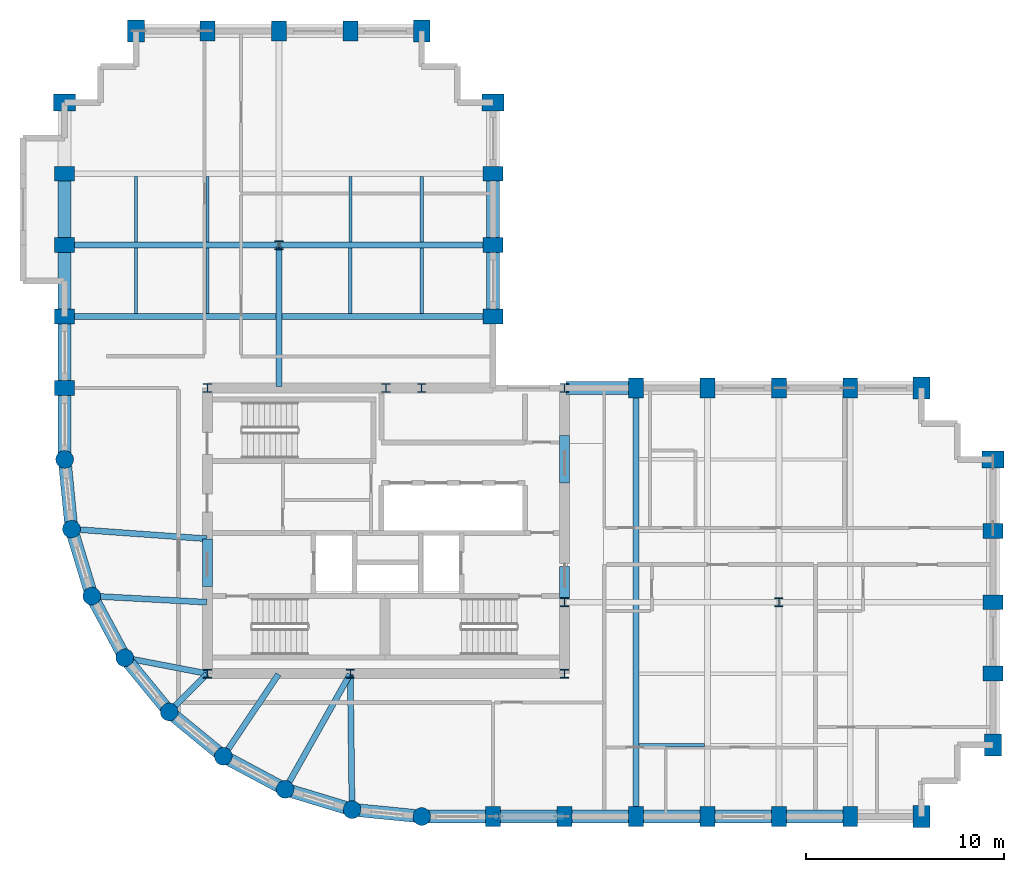
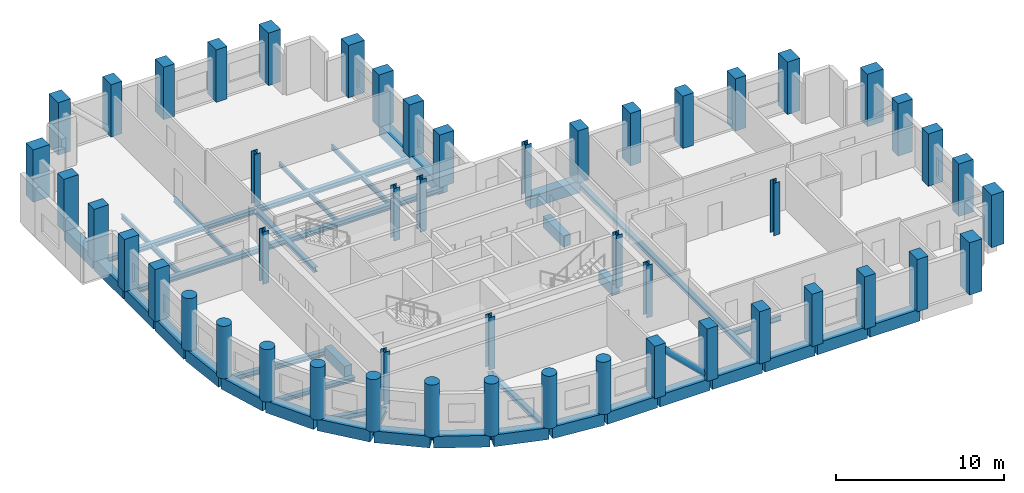
# One storey, part 1 of 8: 50 columns, 45 beams, 1 member.
"""IFC4 building model written with IfcOpenShell, lengths in metres."""

from ifc_helpers import new_model, si_unit, direction, frame, origin, origin_2d, place, context, subcontext, project, spatial, rectangle, circle, hollow_circle, i_section, extrude, material, material_profile, profile_set, type_object, element, save


model = new_model("IFC4")

# Units and contexts
model_context = context("Model", 3, precision=1e-05, world=origin(), true_north=direction((0.0, 1.0)))
body_context = subcontext(model_context, "Body", "Model", "MODEL_VIEW")
ifc_project = project(units=[si_unit("LENGTHUNIT", "METRE"), si_unit("AREAUNIT", "SQUARE_METRE"), si_unit("VOLUMEUNIT", "CUBIC_METRE"), si_unit("PLANEANGLEUNIT", "RADIAN"), si_unit("MASSUNIT", "GRAM", prefix="KILO")], contexts=[model_context])

# Site, building, storey
site_placement = place(None, origin())
site = spatial("IfcSite", under=ifc_project, at=site_placement, CompositionType="ELEMENT")
building_placement = place(site_placement, origin())
building = spatial("IfcBuilding", under=site, at=building_placement, Name="Solnavia Interchange Tower", CompositionType="ELEMENT")
storey_placement = place(building_placement, frame((0.0, 0.0, 161.800048828125)))
storey = spatial("IfcBuildingStorey", under=building, at=storey_placement, Name="L40", CompositionType="ELEMENT", Elevation=161.800048828125)

# Columns
ifc_material_1 = material(Name="Concrete C50/60", Category="concrete")
ifc_material_profile_1 = material_profile(ifc_material_1, rectangle(XDim=0.75, YDim=1.0, at=origin_2d()), Name="RC 1000x750")
ifc_profile_set_1 = profile_set([ifc_material_profile_1], Name="Concrete C50/60")
column_type_1 = type_object("IfcColumnType", Name="Col-RC-1000x750", PredefinedType="COLUMN", material=ifc_profile_set_1)
for number, where, z_axis, x_axis, name in (
    (1, (7.199951171875, 25.199951171875, 0.0), (0.0, 0.0, 1.0), (0.0, 1.0, 0.0), "COL-L40-02 Tower perim y column"),
    (2, (7.199951171875, 28.800048828125, 0.0), (0.0, 0.0, 1.0), (0.0, 1.0, 0.0), "COL-L40-03 Tower perim y column"),
    (3, (7.199951171875, 32.39990234375, 0.0), (0.0, 0.0, 1.0), (0.0, 1.0, 0.0), "COL-L40-04 Tower perim y column"),
    (4, (7.199951171875, 36.0, 0.0), (0.0, 0.0, 1.0), (0.0, 1.0, 0.0), "COL-L40-05 Tower perim y column"),
    (5, (14.39990234375, 43.199951171875, 0.0), (0.0, 0.0, 1.0), (1.0, 0.0, 0.0), "COL-L40-14 Tower perim x column"),
    (6, (18.0, 43.199951171875, 0.0), (0.0, 0.0, 1.0), (1.0, 0.0, 0.0), "COL-L40-17 Tower perim x column"),
    (7, (21.60009765625, 43.199951171875, 0.0), (0.0, 0.0, 1.0), (1.0, 0.0, 0.0), "COL-L40-20 Tower perim x column"),
    (8, (28.800048828125, 3.60009765625, 0.0), (0.0, 0.0, 1.0), (1.0, 0.0, 0.0), "COL-L40-26 Tower perim x column"),
    (9, (28.800048828125, 28.800048828125, 0.0), (0.0, 0.0, 1.0), (0.0, 1.0, 0.0), "COL-L40-27 Tower perim y column"),
    (10, (28.800048828125, 32.39990234375, 0.0), (0.0, 0.0, 1.0), (0.0, 1.0, 0.0), "COL-L40-28 Tower perim y column"),
    (11, (28.800048828125, 36.0, 0.0), (0.0, 0.0, 1.0), (0.0, 1.0, 0.0), "COL-L40-29 Tower perim y column"),
    (12, (32.39990234375, 3.60009765625, 0.0), (0.0, 0.0, 1.0), (1.0, 0.0, 0.0), "COL-L40-31 Tower perim x column"),
    (13, (36.0, 3.60009765625, 0.0), (0.0, 0.0, 1.0), (1.0, 0.0, 0.0), "COL-L40-35 Tower perim x column"),
    (14, (36.0, 25.199951171875, 0.0), (0.0, 0.0, 1.0), (1.0, 0.0, 0.0), "COL-L40-36 Tower perim x column"),
    (15, (39.60009765625, 3.60009765625, 0.0), (0.0, 0.0, 1.0), (1.0, 0.0, 0.0), "COL-L40-37 Tower perim x column"),
    (16, (39.60009765625, 25.199951171875, 0.0), (0.0, 0.0, 1.0), (1.0, 0.0, 0.0), "COL-L40-38 Tower perim x column"),
    (17, (43.199951171875, 3.60009765625, 0.0), (0.0, 0.0, 1.0), (1.0, 0.0, 0.0), "COL-L40-39 Tower perim x column"),
    (18, (43.199951171875, 25.199951171875, 0.0), (0.0, 0.0, 1.0), (1.0, 0.0, 0.0), "COL-L40-41 Tower perim x column"),
    (19, (46.800048828125, 3.60009765625, 0.0), (0.0, 0.0, 1.0), (1.0, 0.0, 0.0), "COL-L40-42 Tower perim x column"),
    (20, (46.800048828125, 25.199951171875, 0.0), (0.0, 0.0, 1.0), (1.0, 0.0, 0.0), "COL-L40-43 Tower perim x column"),
    (21, (54.0, 10.800048828125, 0.0), (0.0, 0.0, 1.0), (0.0, 1.0, 0.0), "COL-L40-47 Tower perim y column"),
    (22, (54.0, 14.39990234375, 0.0), (0.0, 0.0, 1.0), (0.0, 1.0, 0.0), "COL-L40-48 Tower perim y column"),
    (23, (54.0, 18.0, 0.0), (0.0, 0.0, 1.0), (0.0, 1.0, 0.0), "COL-L40-49 Tower perim y column"),
):
    element("IfcColumn", number, at=place(storey_placement, frame(where, z_axis=z_axis, x_axis=x_axis)), inside=storey, type_object=column_type_1, Name=name, PredefinedType="COLUMN", context=body_context, shape_type="SweptSolid", body=[
        extrude(rectangle(XDim=0.75, YDim=1.0, at=origin_2d()), origin(), (0.0, 0.0, 1.0), 3.800048828125),
    ])
ifc_material_profile_2 = material_profile(ifc_material_1, rectangle(XDim=0.85009765625, YDim=1.10009765625, at=origin_2d()), Name="RC 1100x850")
ifc_profile_set_2 = profile_set([ifc_material_profile_2], Name="Concrete C50/60")
column_type_2 = type_object("IfcColumnType", Name="Col-RC-1100x850", PredefinedType="COLUMN", material=ifc_profile_set_2)
for number, where, z_axis, x_axis, name in (
    (24, (7.199951171875, 39.60009765625, 0.0), (0.0, 0.0, 1.0), (0.0, 1.0, 0.0), "COL-L40-06 Tower corner column"),
    (25, (10.800048828125, 43.199951171875, 0.0), (0.0, 0.0, 1.0), (1.0, 0.0, 0.0), "COL-L40-10 Tower corner column"),
    (26, (25.199951171875, 43.199951171875, 0.0), (0.0, 0.0, 1.0), (1.0, 0.0, 0.0), "COL-L40-25 Tower corner column"),
    (27, (28.800048828125, 39.60009765625, 0.0), (0.0, 0.0, 1.0), (0.0, 1.0, 0.0), "COL-L40-30 Tower corner column"),
    (28, (50.39990234375, 3.60009765625, 0.0), (0.0, 0.0, 1.0), (1.0, 0.0, 0.0), "COL-L40-44 Tower corner column"),
    (29, (50.39990234375, 25.199951171875, 0.0), (0.0, 0.0, 1.0), (1.0, 0.0, 0.0), "COL-L40-45 Tower corner column"),
    (30, (54.0, 7.199951171875, 0.0), (0.0, 0.0, 1.0), (1.0, 0.0, 0.0), "COL-L40-46 Tower corner column"),
    (31, (54.0, 21.60009765625, 0.0), (0.0, 0.0, 1.0), (0.0, 1.0, 0.0), "COL-L40-50 Tower corner column"),
):
    element("IfcColumn", number, at=place(storey_placement, frame(where, z_axis=z_axis, x_axis=x_axis)), inside=storey, type_object=column_type_2, Name=name, PredefinedType="COLUMN", context=body_context, shape_type="SweptSolid", body=[
        extrude(rectangle(XDim=0.85009765625, YDim=1.10009765625, at=origin_2d()), origin(), (0.0, 0.0, 1.0), 3.800048828125),
    ])
ifc_material_profile_3 = material_profile(ifc_material_1, circle(Radius=0.449951171875, at=origin_2d()), Name="RC D900")
ifc_profile_set_3 = profile_set([ifc_material_profile_3], Name="Concrete C50/60")
column_type_3 = type_object("IfcColumnType", Name="Col-RC-D900", PredefinedType="COLUMN", material=ifc_profile_set_3)
for number, where, z_axis, x_axis, name in (
    (32, (7.199951171875, 21.60009765625, 0.0), (0.0, 0.0, 1.0), (1.0, 0.0, 0.0), "COL-L40-01 Tower drum column"),
    (33, (7.5458984375, 18.087890625, 0.0), (0.0, 0.0, 1.0), (1.0, 0.0, 0.0), "COL-L40-07 Tower drum column"),
    (34, (8.570068359375, 14.7119140625, 0.0), (0.0, 0.0, 1.0), (1.0, 0.0, 0.0), "COL-L40-08 Tower drum column"),
    (35, (10.23388671875, 11.60009765625, 0.0), (0.0, 0.0, 1.0), (1.0, 0.0, 0.0), "COL-L40-09 Tower drum column"),
    (36, (12.471923828125, 8.8720703125, 0.0), (0.0, 0.0, 1.0), (1.0, 0.0, 0.0), "COL-L40-11 Tower drum column"),
    (37, (15.199951171875, 6.634033203125, 0.0), (0.0, 0.0, 1.0), (1.0, 0.0, 0.0), "COL-L40-15 Tower drum column"),
    (38, (18.31201171875, 4.969970703125, 0.0), (0.0, 0.0, 1.0), (1.0, 0.0, 0.0), "COL-L40-18 Tower drum column"),
    (39, (21.68798828125, 3.946044921875, 0.0), (0.0, 0.0, 1.0), (1.0, 0.0, 0.0), "COL-L40-21 Tower drum column"),
    (40, (25.199951171875, 3.60009765625, 0.0), (0.0, 0.0, 1.0), (1.0, 0.0, 0.0), "COL-L40-23 Tower drum column"),
):
    element("IfcColumn", number, at=place(storey_placement, frame(where, z_axis=z_axis, x_axis=x_axis)), inside=storey, type_object=column_type_3, Name=name, PredefinedType="COLUMN", context=body_context, shape_type="SweptSolid", body=[
        extrude(circle(Radius=0.449951171875, at=origin_2d()), origin(), (0.0, 0.0, 1.0), 3.800048828125),
    ])
ifc_material_2 = material(Name="Steel S355", Category="steel")
ifc_material_profile_4 = material_profile(ifc_material_2, i_section(OverallWidth=0.416015625, OverallDepth=0.44189453125, WebThickness=0.02490234375, FlangeThickness=0.041015625, FilletRadius=0.014892578125, at=origin_2d()), Name="HD 400x382")
ifc_profile_set_4 = profile_set([ifc_material_profile_4], Name="Steel S355")
column_type_4 = type_object("IfcColumnType", Name="Col-Steel-HD400x382", PredefinedType="COLUMN", material=ifc_profile_set_4)
for number, where, z_axis, x_axis, name in (
    (41, (14.39990234375, 10.800048828125, 0.0), (0.0, 0.0, 1.0), (1.0, 0.0, 0.0), "COL-L40-12 Tower interior column"),
    (42, (14.39990234375, 25.199951171875, 0.0), (0.0, 0.0, 1.0), (1.0, 0.0, 0.0), "COL-L40-13 Tower interior column"),
    (43, (18.0, 32.39990234375, 0.0), (0.0, 0.0, 1.0), (1.0, 0.0, 0.0), "COL-L40-16 Tower interior column"),
    (44, (21.60009765625, 10.800048828125, 0.0), (0.0, 0.0, 1.0), (1.0, 0.0, 0.0), "COL-L40-19 Tower interior column"),
    (45, (23.39990234375, 25.199951171875, 0.0), (0.0, 0.0, 1.0), (1.0, 0.0, 0.0), "COL-L40-22 Tower interior column"),
    (46, (25.199951171875, 25.199951171875, 0.0), (0.0, 0.0, 1.0), (1.0, 0.0, 0.0), "COL-L40-24 Tower interior column"),
    (47, (32.39990234375, 10.800048828125, 0.0), (0.0, 0.0, 1.0), (1.0, 0.0, 0.0), "COL-L40-32 Tower interior column"),
    (48, (32.39990234375, 14.39990234375, 0.0), (0.0, 0.0, 1.0), (1.0, 0.0, 0.0), "COL-L40-33 Tower interior column"),
    (49, (32.39990234375, 25.199951171875, 0.0), (0.0, 0.0, 1.0), (1.0, 0.0, 0.0), "COL-L40-34 Tower interior column"),
    (50, (43.199951171875, 14.39990234375, 0.0), (0.0, 0.0, 1.0), (1.0, 0.0, 0.0), "COL-L40-40 Tower interior column"),
):
    element("IfcColumn", number, at=place(storey_placement, frame(where, z_axis=z_axis, x_axis=x_axis)), inside=storey, type_object=column_type_4, Name=name, PredefinedType="COLUMN", context=body_context, shape_type="SweptSolid", body=[
        extrude(i_section(OverallWidth=0.416015625, OverallDepth=0.44189453125, WebThickness=0.02490234375, FlangeThickness=0.041015625, FilletRadius=0.014892578125, at=origin_2d()), origin(), (0.0, 0.0, 1.0), 3.800048828125),
    ])

# Beams
ifc_material_profile_5 = material_profile(ifc_material_1, rectangle(XDim=0.5, YDim=0.800048828125, at=origin_2d()), Name="RC 500x800")
ifc_profile_set_5 = profile_set([ifc_material_profile_5], Name="Concrete C50/60")
beam_type_1 = type_object("IfcBeamType", Name="Beam-Coupling-RC500x800", PredefinedType="LINTEL", material=ifc_profile_set_5)
beam_1_placement = place(storey_placement, frame((14.39990234375, 15.199951171875, -0.400146484375), z_axis=(0.0, 1.0, 0.0), x_axis=(-1.0, 0.0, 0.0)))
element("IfcBeam", 51, at=beam_1_placement, inside=storey, type_object=beam_type_1, Name="CPB-L40-W1 Core coupling lintel beam", PredefinedType="LINTEL", context=body_context, shape_type="SweptSolid", body=[
    extrude(rectangle(XDim=0.5, YDim=0.800048828125, at=origin_2d()), origin(), (0.0, 0.0, 1.0), 2.400146484375),
])
beam_2_placement = place(storey_placement, frame((32.39990234375, 14.60009765625, -0.400146484375), z_axis=(0.0, 1.0, 0.0), x_axis=(-1.0, 0.0, 0.0)))
element("IfcBeam", 52, at=beam_2_placement, inside=storey, type_object=beam_type_1, Name="CPB-L40-E1 Core coupling lintel beam", PredefinedType="LINTEL", context=body_context, shape_type="SweptSolid", body=[
    extrude(rectangle(XDim=0.5, YDim=0.800048828125, at=origin_2d()), origin(), (0.0, 0.0, 1.0), 1.599853515625),
])
beam_3_placement = place(storey_placement, frame((32.39990234375, 20.39990234375, -0.400146484375), z_axis=(0.0, 1.0, 0.0), x_axis=(-1.0, 0.0, 0.0)))
element("IfcBeam", 53, at=beam_3_placement, inside=storey, type_object=beam_type_1, Name="CPB-L40-E2 Core coupling lintel beam", PredefinedType="LINTEL", context=body_context, shape_type="SweptSolid", body=[
    extrude(rectangle(XDim=0.5, YDim=0.800048828125, at=origin_2d()), origin(), (0.0, 0.0, 1.0), 2.400146484375),
])
ifc_material_3 = material(Name="Steel S460", Category="steel")
ifc_material_profile_6 = material_profile(ifc_material_3, i_section(OverallWidth=0.300048828125, OverallDepth=0.360107421875, WebThickness=0.012451171875, FlangeThickness=0.0224609375, FilletRadius=0.027099609375, at=origin_2d()), Name="HEB 360")
ifc_profile_set_6 = profile_set([ifc_material_profile_6], Name="Steel S460")
beam_type_2 = type_object("IfcBeamType", Name="Beam-Girder-HEB360", PredefinedType="BEAM", material=ifc_profile_set_6)
beam_4_placement = place(storey_placement, frame((18.0, 25.280029296875, -0.429931640625), z_axis=(0.0, 1.0, 0.0), x_axis=(-1.0, 0.0, 0.0)))
element("IfcBeam", 54, at=beam_4_placement, inside=storey, type_object=beam_type_2, Name="GRD-L40-NS08 North wing spine girder", PredefinedType="BEAM", context=body_context, shape_type="SweptSolid", body=[
    extrude(i_section(OverallWidth=0.300048828125, OverallDepth=0.360107421875, WebThickness=0.012451171875, FlangeThickness=0.0224609375, FilletRadius=0.027099609375, at=origin_2d()), origin(), (0.0, 0.0, 1.0), 7.0400390625),
])
beam_5_placement = place(storey_placement, frame((7.280029296875, 28.800048828125, -0.429931640625), z_axis=(1.0, 0.0, 0.0), x_axis=(0.0, 1.0, 0.0)))
element("IfcBeam", 55, at=beam_5_placement, inside=storey, type_object=beam_type_2, Name="GRD-L40-NW10 North wing primary floor girder", PredefinedType="BEAM", context=body_context, shape_type="SweptSolid", body=[
    extrude(i_section(OverallWidth=0.300048828125, OverallDepth=0.360107421875, WebThickness=0.012451171875, FlangeThickness=0.0224609375, FilletRadius=0.027099609375, at=origin_2d()), origin(), (0.0, 0.0, 1.0), 21.43994140625),
])
beam_6_placement = place(storey_placement, frame((10.3125, 11.5849609375, -0.429931640625), z_axis=(0.982057527796, -0.188581579428, 0.0), x_axis=(0.188581579428, 0.982057527796, 0.0)))
element("IfcBeam", 56, at=beam_6_placement, inside=storey, type_object=beam_type_2, Name="GRD-L40-DR16 Drum radial floor girder", PredefinedType="BEAM", context=body_context, shape_type="SweptSolid", body=[
    extrude(i_section(OverallWidth=0.300048828125, OverallDepth=0.360107421875, WebThickness=0.012451171875, FlangeThickness=0.0224609375, FilletRadius=0.027099609375, at=origin_2d()), origin(), (0.0, 0.0, 1.0), 4.1220703125),
])
beam_7_placement = place(storey_placement, frame((18.351318359375, 5.039794921875, -0.429931640625), z_axis=(0.491243158486, 0.871022479182, 0.0), x_axis=(-0.871022479182, 0.491243158486, 0.0)))
element("IfcBeam", 57, at=beam_7_placement, inside=storey, type_object=beam_type_2, Name="GRD-L40-DR19 Drum radial floor girder", PredefinedType="BEAM", context=body_context, shape_type="SweptSolid", body=[
    extrude(i_section(OverallWidth=0.300048828125, OverallDepth=0.360107421875, WebThickness=0.012451171875, FlangeThickness=0.0224609375, FilletRadius=0.027099609375, at=origin_2d()), origin(), (0.0, 0.0, 1.0), 6.5732421875),
])
ifc_material_profile_7 = material_profile(ifc_material_2, i_section(OverallWidth=0.14990234375, OverallDepth=0.300048828125, WebThickness=0.007080078125, FlangeThickness=0.0107421875, FilletRadius=0.014892578125, at=origin_2d()), Name="IPE 300")
ifc_profile_set_7 = profile_set([ifc_material_profile_7], Name="Steel S355")
beam_type_3 = type_object("IfcBeamType", Name="Beam-Joist-IPE300", PredefinedType="JOIST", material=ifc_profile_set_7)
for number, where, z_axis, x_axis, name in (
    (58, (14.39990234375, 28.949951171875, -0.400146484375), (0.0, 1.0, 0.0), (-1.0, 0.0, 0.0), "JST-L40-N15 North wing secondary joist"),
    (59, (21.60009765625, 32.550048828125, -0.400146484375), (0.0, 1.0, 0.0), (-1.0, 0.0, 0.0), "JST-L40-N18 North wing secondary joist"),
):
    element("IfcBeam", number, at=place(storey_placement, frame(where, z_axis=z_axis, x_axis=x_axis)), inside=storey, type_object=beam_type_3, Name=name, PredefinedType="JOIST", context=body_context, shape_type="SweptSolid", body=[
        extrude(i_section(OverallWidth=0.14990234375, OverallDepth=0.300048828125, WebThickness=0.007080078125, FlangeThickness=0.0107421875, FilletRadius=0.014892578125, at=origin_2d()), origin(), (0.0, 0.0, 1.0), 3.300048828125),
    ])
ifc_material_profile_8 = material_profile(ifc_material_2, i_section(OverallWidth=0.159912109375, OverallDepth=0.330078125, WebThickness=0.007568359375, FlangeThickness=0.011474609375, FilletRadius=0.01806640625, at=origin_2d()), Name="IPE 330")
ifc_profile_set_8 = profile_set([ifc_material_profile_8], Name="Steel S355")
beam_type_4 = type_object("IfcBeamType", Name="Beam-Joist-IPE330", PredefinedType="JOIST", material=ifc_profile_set_8)
for number, where, z_axis, x_axis, name in (
    (60, (10.800048828125, 32.550048828125, -0.4150390625), (0.0, 1.0, 0.0), (-1.0, 0.0, 0.0), "JST-L40-N14 North wing secondary joist"),
    (61, (21.60009765625, 28.949951171875, -0.4150390625), (0.0, 1.0, 0.0), (-1.0, 0.0, 0.0), "JST-L40-N17 North wing secondary joist"),
    (62, (25.199951171875, 32.550048828125, -0.4150390625), (0.0, 1.0, 0.0), (-1.0, 0.0, 0.0), "JST-L40-N20 North wing secondary joist"),
):
    element("IfcBeam", number, at=place(storey_placement, frame(where, z_axis=z_axis, x_axis=x_axis)), inside=storey, type_object=beam_type_4, Name=name, PredefinedType="JOIST", context=body_context, shape_type="SweptSolid", body=[
        extrude(i_section(OverallWidth=0.159912109375, OverallDepth=0.330078125, WebThickness=0.007568359375, FlangeThickness=0.011474609375, FilletRadius=0.01806640625, at=origin_2d()), origin(), (0.0, 0.0, 1.0), 3.300048828125),
    ])
ifc_material_profile_9 = material_profile(ifc_material_2, i_section(OverallWidth=0.169921875, OverallDepth=0.360107421875, WebThickness=0.008056640625, FlangeThickness=0.0126953125, FilletRadius=0.01806640625, at=origin_2d()), Name="IPE 360")
ifc_profile_set_9 = profile_set([ifc_material_profile_9], Name="Steel S355")
beam_type_5 = type_object("IfcBeamType", Name="Beam-Joist-IPE360", PredefinedType="JOIST", material=ifc_profile_set_9)
for number, where, z_axis, x_axis, name in (
    (63, (36.14990234375, 7.199951171875, -0.429931640625), (1.0, 0.0, 0.0), (0.0, 1.0, 0.0), "JST-L40-E01 East wing secondary joist"),
    (64, (10.800048828125, 28.949951171875, -0.429931640625), (0.0, 1.0, 0.0), (-1.0, 0.0, 0.0), "JST-L40-N13 North wing secondary joist"),
    (65, (14.39990234375, 32.550048828125, -0.429931640625), (0.0, 1.0, 0.0), (-1.0, 0.0, 0.0), "JST-L40-N16 North wing secondary joist"),
    (66, (25.199951171875, 28.949951171875, -0.429931640625), (0.0, 1.0, 0.0), (-1.0, 0.0, 0.0), "JST-L40-N19 North wing secondary joist"),
):
    element("IfcBeam", number, at=place(storey_placement, frame(where, z_axis=z_axis, x_axis=x_axis)), inside=storey, type_object=beam_type_5, Name=name, PredefinedType="JOIST", context=body_context, shape_type="SweptSolid", body=[
        extrude(i_section(OverallWidth=0.169921875, OverallDepth=0.360107421875, WebThickness=0.008056640625, FlangeThickness=0.0126953125, FilletRadius=0.01806640625, at=origin_2d()), origin(), (0.0, 0.0, 1.0), 3.300048828125),
    ])
ifc_material_profile_10 = material_profile(ifc_material_2, i_section(OverallWidth=0.300048828125, OverallDepth=0.31005859375, WebThickness=0.009033203125, FlangeThickness=0.015380859375, FilletRadius=0.027099609375, at=origin_2d()), Name="HEA 320")
ifc_profile_set_10 = profile_set([ifc_material_profile_10], Name="Steel S355")
beam_type_6 = type_object("IfcBeamType", Name="Beam-Primary-HEA320", PredefinedType="BEAM", material=ifc_profile_set_10)
beam_8_placement = place(storey_placement, frame((36.0, 3.679931640625, -0.405029296875), z_axis=(0.0, 1.0, 0.0), x_axis=(-1.0, 0.0, 0.0)))
element("IfcBeam", 67, at=beam_8_placement, inside=storey, type_object=beam_type_6, Name="GRD-L40-EW03 East wing primary floor girder", PredefinedType="BEAM", context=body_context, shape_type="SweptSolid", body=[
    extrude(i_section(OverallWidth=0.300048828125, OverallDepth=0.31005859375, WebThickness=0.009033203125, FlangeThickness=0.015380859375, FilletRadius=0.027099609375, at=origin_2d()), origin(), (0.0, 0.0, 1.0), 21.440185546875),
])
beam_9_placement = place(storey_placement, frame((8.64990234375, 14.707763671875, -0.405029296875), z_axis=(0.998570371303, -0.053452909696, 0.0), x_axis=(0.053452909696, 0.998570371303, 0.0)))
element("IfcBeam", 68, at=beam_9_placement, inside=storey, type_object=beam_type_6, Name="GRD-L40-DR15 Drum radial floor girder", PredefinedType="BEAM", context=body_context, shape_type="SweptSolid", body=[
    extrude(i_section(OverallWidth=0.300048828125, OverallDepth=0.31005859375, WebThickness=0.009033203125, FlangeThickness=0.015380859375, FilletRadius=0.027099609375, at=origin_2d()), origin(), (0.0, 0.0, 1.0), 5.71826171875),
])
beam_10_placement = place(storey_placement, frame((15.24462890625, 6.700439453125, -0.405029296875), z_axis=(0.557835474219, 0.829951555033, 0.0), x_axis=(-0.829951555033, 0.557835474219, 0.0)))
element("IfcBeam", 69, at=beam_10_placement, inside=storey, type_object=beam_type_6, Name="GRD-L40-DR18 Drum radial floor girder", PredefinedType="BEAM", context=body_context, shape_type="SweptSolid", body=[
    extrude(i_section(OverallWidth=0.300048828125, OverallDepth=0.31005859375, WebThickness=0.009033203125, FlangeThickness=0.015380859375, FilletRadius=0.027099609375, at=origin_2d()), origin(), (0.0, 0.0, 1.0), 4.899658203125),
])
ifc_material_profile_11 = material_profile(ifc_material_2, i_section(OverallWidth=0.300048828125, OverallDepth=0.35009765625, WebThickness=0.010009765625, FlangeThickness=0.017578125, FilletRadius=0.027099609375, at=origin_2d()), Name="HEA 360")
ifc_profile_set_11 = profile_set([ifc_material_profile_11], Name="Steel S355")
beam_type_7 = type_object("IfcBeamType", Name="Beam-Primary-HEA360", PredefinedType="BEAM", material=ifc_profile_set_11)
for number, where, z_axis, x_axis, name in (
    (70, (7.280029296875, 32.39990234375, -0.425048828125), (1.0, 0.0, 0.0), (0.0, 1.0, 0.0), "GRD-L40-NW11 North wing primary floor girder"),
    (71, (18.080078125, 32.39990234375, -0.425048828125), (1.0, 0.0, 0.0), (0.0, 1.0, 0.0), "GRD-L40-NW12 North wing primary floor girder"),
):
    element("IfcBeam", number, at=place(storey_placement, frame(where, z_axis=z_axis, x_axis=x_axis)), inside=storey, type_object=beam_type_7, Name=name, PredefinedType="BEAM", context=body_context, shape_type="SweptSolid", body=[
        extrude(i_section(OverallWidth=0.300048828125, OverallDepth=0.35009765625, WebThickness=0.010009765625, FlangeThickness=0.017578125, FilletRadius=0.027099609375, at=origin_2d()), origin(), (0.0, 0.0, 1.0), 10.639892578125),
    ])
beam_11_placement = place(storey_placement, frame((7.625732421875, 18.082275390625, -0.425048828125), z_axis=(0.99747482749, -0.071020902015, 0.0), x_axis=(0.071020902015, 0.99747482749, 0.0)))
element("IfcBeam", 72, at=beam_11_placement, inside=storey, type_object=beam_type_7, Name="GRD-L40-DR14 Drum radial floor girder", PredefinedType="BEAM", context=body_context, shape_type="SweptSolid", body=[
    extrude(i_section(OverallWidth=0.300048828125, OverallDepth=0.35009765625, WebThickness=0.010009765625, FlangeThickness=0.017578125, FilletRadius=0.027099609375, at=origin_2d()), origin(), (0.0, 0.0, 1.0), 6.75146484375),
])
beam_12_placement = place(storey_placement, frame((12.528564453125, 8.9287109375, -0.425048828125), z_axis=(0.707106781187, 0.707106781187, 0.0), x_axis=(-0.707106781187, 0.707106781187, 0.0)))
element("IfcBeam", 73, at=beam_12_placement, inside=storey, type_object=beam_type_7, Name="GRD-L40-DR17 Drum radial floor girder", PredefinedType="BEAM", context=body_context, shape_type="SweptSolid", body=[
    extrude(i_section(OverallWidth=0.300048828125, OverallDepth=0.35009765625, WebThickness=0.010009765625, FlangeThickness=0.017578125, FilletRadius=0.027099609375, at=origin_2d()), origin(), (0.0, 0.0, 1.0), 2.6064453125),
])
beam_13_placement = place(storey_placement, frame((21.68701171875, 4.02587890625, -0.425048828125), z_axis=(-0.01283293513, 0.999917654498, 0.0), x_axis=(-0.999917654498, -0.01283293513, 0.0)))
element("IfcBeam", 74, at=beam_13_placement, inside=storey, type_object=beam_type_7, Name="GRD-L40-DR20 Drum radial floor girder", PredefinedType="BEAM", context=body_context, shape_type="SweptSolid", body=[
    extrude(i_section(OverallWidth=0.300048828125, OverallDepth=0.35009765625, WebThickness=0.010009765625, FlangeThickness=0.017578125, FilletRadius=0.027099609375, at=origin_2d()), origin(), (0.0, 0.0, 1.0), 6.734619140625),
])
ifc_material_profile_12 = material_profile(ifc_material_1, rectangle(XDim=0.64990234375, YDim=0.85009765625, at=origin_2d()), Name="RC 650x850")
ifc_profile_set_12 = profile_set([ifc_material_profile_12], Name="Concrete C50/60")
beam_type_8 = type_object("IfcBeamType", Name="Beam-Spandrel-RC650x850", PredefinedType="SPANDREL", material=ifc_profile_set_12)
beam_14_placement = place(storey_placement, frame((7.207763671875, 21.5205078125, -0.425048828125), z_axis=(0.098040038117, -0.995182471171, 0.0), x_axis=(0.995182471171, 0.098040038117, 0.0)))
element("IfcBeam", 75, at=beam_14_placement, inside=storey, type_object=beam_type_8, Name="SPB-L40-01 Framed-tube perimeter spandrel beam", PredefinedType="SPANDREL", context=body_context, shape_type="SweptSolid", body=[
    extrude(rectangle(XDim=0.64990234375, YDim=0.85009765625, at=origin_2d()), origin(), (0.0, 0.0, 1.0), 3.369140625),
])
beam_15_placement = place(storey_placement, frame((7.569091796875, 18.011474609375, -0.425048828125), z_axis=(0.290319223646, -0.956929855518, 0.0), x_axis=(0.956929855518, 0.290319223646, 0.0)))
element("IfcBeam", 76, at=beam_15_placement, inside=storey, type_object=beam_type_8, Name="SPB-L40-02 Framed-tube perimeter spandrel beam", PredefinedType="SPANDREL", context=body_context, shape_type="SweptSolid", body=[
    extrude(rectangle(XDim=0.64990234375, YDim=0.85009765625, at=origin_2d()), origin(), (0.0, 0.0, 1.0), 3.367919921875),
])
beam_16_placement = place(storey_placement, frame((8.607666015625, 14.6416015625, -0.425048828125), z_axis=(0.471509422952, -0.881861023102, 0.0), x_axis=(0.881861023102, 0.471509422952, 0.0)))
element("IfcBeam", 77, at=beam_16_placement, inside=storey, type_object=beam_type_8, Name="SPB-L40-03 Framed-tube perimeter spandrel beam", PredefinedType="SPANDREL", context=body_context, shape_type="SweptSolid", body=[
    extrude(rectangle(XDim=0.64990234375, YDim=0.85009765625, at=origin_2d()), origin(), (0.0, 0.0, 1.0), 3.369140625),
])
for number, where, z_axis, x_axis, name in (
    (78, (10.28466796875, 11.5380859375, -0.425048828125), (0.634298841675, -0.773087950656, 0.0), (0.773087950656, 0.634298841675, 0.0), "SPB-L40-04 Framed-tube perimeter spandrel beam"),
    (79, (12.53369140625, 8.8212890625, -0.425048828125), (0.773152644452, -0.634219984214, 0.0), (0.634219984214, 0.773152644452, 0.0), "SPB-L40-05 Framed-tube perimeter spandrel beam"),
):
    element("IfcBeam", number, at=place(storey_placement, frame(where, z_axis=z_axis, x_axis=x_axis)), inside=storey, type_object=beam_type_8, Name=name, PredefinedType="SPANDREL", context=body_context, shape_type="SweptSolid", body=[
        extrude(rectangle(XDim=0.64990234375, YDim=0.85009765625, at=origin_2d()), origin(), (0.0, 0.0, 1.0), 3.36865234375),
    ])
beam_17_placement = place(storey_placement, frame((15.2705078125, 6.59619140625, -0.425048828125), z_axis=(0.881875044348, -0.47148319817, 0.0), x_axis=(0.47148319817, 0.881875044348, 0.0)))
element("IfcBeam", 80, at=beam_17_placement, inside=storey, type_object=beam_type_8, Name="SPB-L40-06 Framed-tube perimeter spandrel beam", PredefinedType="SPANDREL", context=body_context, shape_type="SweptSolid", body=[
    extrude(rectangle(XDim=0.64990234375, YDim=0.85009765625, at=origin_2d()), origin(), (0.0, 0.0, 1.0), 3.368896484375),
])
beam_18_placement = place(storey_placement, frame((18.388671875, 4.94677734375, -0.425048828125), z_axis=(0.956943884494, -0.290272978297, 0.0), x_axis=(0.290272978297, 0.956943884494, 0.0)))
element("IfcBeam", 81, at=beam_18_placement, inside=storey, type_object=beam_type_8, Name="SPB-L40-07 Framed-tube perimeter spandrel beam", PredefinedType="SPANDREL", context=body_context, shape_type="SweptSolid", body=[
    extrude(rectangle(XDim=0.64990234375, YDim=0.85009765625, at=origin_2d()), origin(), (0.0, 0.0, 1.0), 3.36767578125),
])
beam_19_placement = place(storey_placement, frame((21.767578125, 3.938232421875, -0.425048828125), z_axis=(0.995181774609, -0.098047108501, 0.0), x_axis=(0.098047108501, 0.995181774609, 0.0)))
element("IfcBeam", 82, at=beam_19_placement, inside=storey, type_object=beam_type_8, Name="SPB-L40-08 Framed-tube perimeter spandrel beam", PredefinedType="SPANDREL", context=body_context, shape_type="SweptSolid", body=[
    extrude(rectangle(XDim=0.64990234375, YDim=0.85009765625, at=origin_2d()), origin(), (0.0, 0.0, 1.0), 3.368896484375),
])
beam_20_placement = place(storey_placement, frame((25.280029296875, 3.60009765625, -0.425048828125), z_axis=(1.0, 0.0, 0.0), x_axis=(0.0, 1.0, 0.0)))
element("IfcBeam", 83, at=beam_20_placement, inside=storey, type_object=beam_type_8, Name="SPB-L40-09 Framed-tube perimeter spandrel beam", PredefinedType="SPANDREL", context=body_context, shape_type="SweptSolid", body=[
    extrude(rectangle(XDim=0.64990234375, YDim=0.85009765625, at=origin_2d()), origin(), (0.0, 0.0, 1.0), 3.43994140625),
])
beam_21_placement = place(storey_placement, frame((28.8798828125, 3.60009765625, -0.425048828125), z_axis=(1.0, 0.0, 0.0), x_axis=(0.0, 1.0, 0.0)))
element("IfcBeam", 84, at=beam_21_placement, inside=storey, type_object=beam_type_8, Name="SPB-L40-10 Framed-tube perimeter spandrel beam", PredefinedType="SPANDREL", context=body_context, shape_type="SweptSolid", body=[
    extrude(rectangle(XDim=0.64990234375, YDim=0.85009765625, at=origin_2d()), origin(), (0.0, 0.0, 1.0), 3.440185546875),
])
for number, where, z_axis, x_axis, name in (
    (85, (32.47998046875, 3.60009765625, -0.425048828125), (1.0, 0.0, 0.0), (0.0, 1.0, 0.0), "SPB-L40-11 Framed-tube perimeter spandrel beam"),
    (86, (36.080078125, 3.60009765625, -0.425048828125), (1.0, 0.0, 0.0), (0.0, 1.0, 0.0), "SPB-L40-12 Framed-tube perimeter spandrel beam"),
):
    element("IfcBeam", number, at=place(storey_placement, frame(where, z_axis=z_axis, x_axis=x_axis)), inside=storey, type_object=beam_type_8, Name=name, PredefinedType="SPANDREL", context=body_context, shape_type="SweptSolid", body=[
        extrude(rectangle(XDim=0.64990234375, YDim=0.85009765625, at=origin_2d()), origin(), (0.0, 0.0, 1.0), 3.43994140625),
    ])
beam_22_placement = place(storey_placement, frame((39.679931640625, 3.60009765625, -0.425048828125), z_axis=(1.0, 0.0, 0.0), x_axis=(0.0, 1.0, 0.0)))
element("IfcBeam", 87, at=beam_22_placement, inside=storey, type_object=beam_type_8, Name="SPB-L40-13 Framed-tube perimeter spandrel beam", PredefinedType="SPANDREL", context=body_context, shape_type="SweptSolid", body=[
    extrude(rectangle(XDim=0.64990234375, YDim=0.85009765625, at=origin_2d()), origin(), (0.0, 0.0, 1.0), 3.440185546875),
])
for number, where, z_axis, x_axis, name in (
    (88, (43.280029296875, 3.60009765625, -0.425048828125), (1.0, 0.0, 0.0), (0.0, 1.0, 0.0), "SPB-L40-14 Framed-tube perimeter spandrel beam"),
    (89, (35.919921875, 25.199951171875, -0.425048828125), (-1.0, 0.0, 0.0), (0.0, -1.0, 0.0), "SPB-L40-24 Framed-tube perimeter spandrel beam"),
):
    element("IfcBeam", number, at=place(storey_placement, frame(where, z_axis=z_axis, x_axis=x_axis)), inside=storey, type_object=beam_type_8, Name=name, PredefinedType="SPANDREL", context=body_context, shape_type="SweptSolid", body=[
        extrude(rectangle(XDim=0.64990234375, YDim=0.85009765625, at=origin_2d()), origin(), (0.0, 0.0, 1.0), 3.43994140625),
    ])
beam_23_placement = place(storey_placement, frame((28.800048828125, 28.8798828125, -0.425048828125), z_axis=(0.0, 1.0, 0.0), x_axis=(-1.0, 0.0, 0.0)))
element("IfcBeam", 90, at=beam_23_placement, inside=storey, type_object=beam_type_8, Name="SPB-L40-25 Framed-tube perimeter spandrel beam", PredefinedType="SPANDREL", context=body_context, shape_type="SweptSolid", body=[
    extrude(rectangle(XDim=0.64990234375, YDim=0.85009765625, at=origin_2d()), origin(), (0.0, 0.0, 1.0), 3.440185546875),
])
for number, where, z_axis, x_axis, name in (
    (91, (28.800048828125, 32.47998046875, -0.425048828125), (0.0, 1.0, 0.0), (-1.0, 0.0, 0.0), "SPB-L40-26 Framed-tube perimeter spandrel beam"),
    (92, (7.199951171875, 35.919921875, -0.425048828125), (0.0, -1.0, 0.0), (1.0, 0.0, 0.0), "SPB-L40-33 Framed-tube perimeter spandrel beam"),
):
    element("IfcBeam", number, at=place(storey_placement, frame(where, z_axis=z_axis, x_axis=x_axis)), inside=storey, type_object=beam_type_8, Name=name, PredefinedType="SPANDREL", context=body_context, shape_type="SweptSolid", body=[
        extrude(rectangle(XDim=0.64990234375, YDim=0.85009765625, at=origin_2d()), origin(), (0.0, 0.0, 1.0), 3.43994140625),
    ])
beam_24_placement = place(storey_placement, frame((7.199951171875, 32.320068359375, -0.425048828125), z_axis=(0.0, -1.0, 0.0), x_axis=(1.0, 0.0, 0.0)))
element("IfcBeam", 93, at=beam_24_placement, inside=storey, type_object=beam_type_8, Name="SPB-L40-34 Framed-tube perimeter spandrel beam", PredefinedType="SPANDREL", context=body_context, shape_type="SweptSolid", body=[
    extrude(rectangle(XDim=0.64990234375, YDim=0.85009765625, at=origin_2d()), origin(), (0.0, 0.0, 1.0), 3.440185546875),
])
beam_25_placement = place(storey_placement, frame((7.199951171875, 28.719970703125, -0.425048828125), z_axis=(0.0, -1.0, 0.0), x_axis=(1.0, 0.0, 0.0)))
element("IfcBeam", 94, at=beam_25_placement, inside=storey, type_object=beam_type_8, Name="SPB-L40-35 Framed-tube perimeter spandrel beam", PredefinedType="SPANDREL", context=body_context, shape_type="SweptSolid", body=[
    extrude(rectangle(XDim=0.64990234375, YDim=0.85009765625, at=origin_2d()), origin(), (0.0, 0.0, 1.0), 3.43994140625),
])
beam_26_placement = place(storey_placement, frame((7.199951171875, 25.1201171875, -0.425048828125), z_axis=(0.0, -1.0, 0.0), x_axis=(1.0, 0.0, 0.0)))
element("IfcBeam", 95, at=beam_26_placement, inside=storey, type_object=beam_type_8, Name="SPB-L40-36 Framed-tube perimeter spandrel beam", PredefinedType="SPANDREL", context=body_context, shape_type="SweptSolid", body=[
    extrude(rectangle(XDim=0.64990234375, YDim=0.85009765625, at=origin_2d()), origin(), (0.0, 0.0, 1.0), 3.440185546875),
])

# Member
ifc_material_profile_13 = material_profile(ifc_material_3, hollow_circle(Radius=0.228515625, WallThickness=0.02001953125, at=origin_2d()), Name="CHS 457x20")
ifc_profile_set_13 = profile_set([ifc_material_profile_13], Name="Steel S460")
member_type = type_object("IfcMemberType", Name="Brace-Perim-CHS457", PredefinedType="BRACE", material=ifc_profile_set_13)
member_placement = place(storey_placement, frame((32.260009765625, 3.60009765625, 0.179931640625), z_axis=(-0.721096918576, 0.0, 0.692834203847), x_axis=(0.0, -1.0, 0.0)))
element("IfcMember", 96, at=member_placement, inside=storey, type_object=member_type, Name="BRC-L40-01 Perimeter tube diagonal brace", PredefinedType="BRACE", context=body_context, shape_type="SweptSolid", body=[
    extrude(hollow_circle(Radius=0.228515625, WallThickness=0.02001953125, at=origin_2d()), origin(), (0.0, 0.0, 1.0), 4.604248046875),
])

save(model, "model.ifc")
